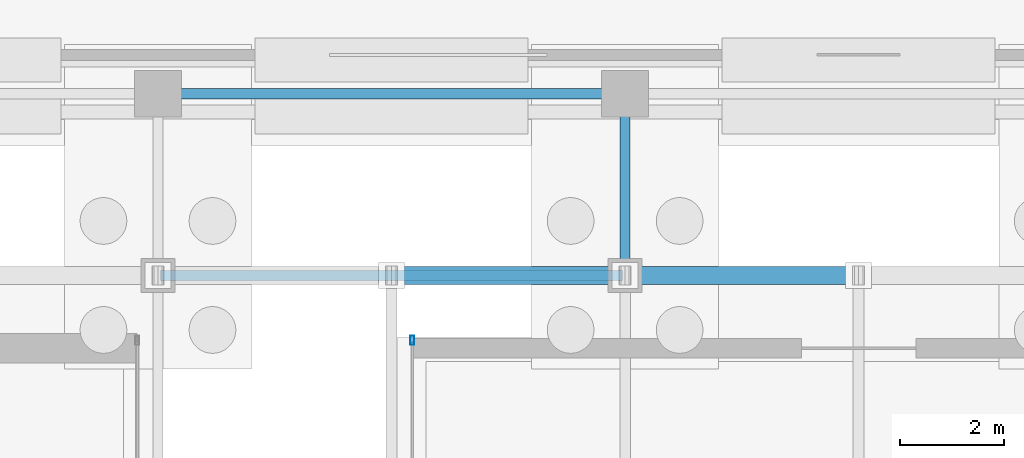
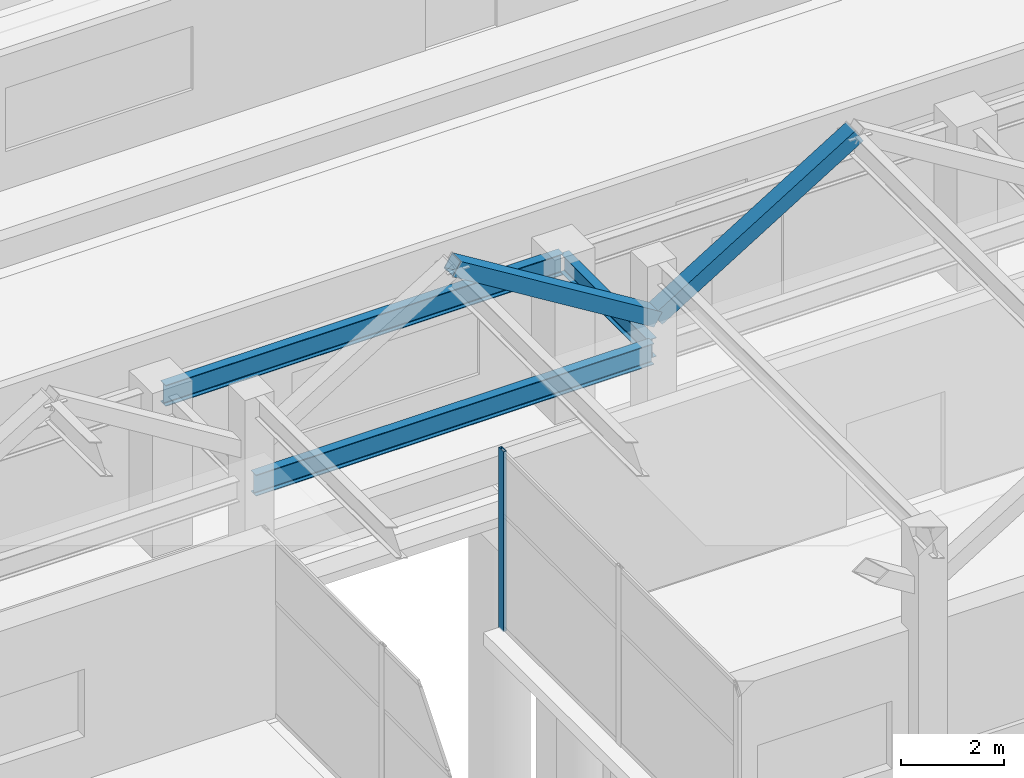
# One storey, part 57 of 160: 3 beams, 3 members, 1 element without a shape of its own.
"""IFC4 building model written with IfcOpenShell, lengths in metres."""

import ifcopenshell
import ifcopenshell.guid

model = None  # the IFC model being written
_history = None  # IfcOwnerHistory: only IFC2X3 demands one
_inside = {}  # id of a spatial element -> (the spatial element, [elements in it])
_under = {}  # id of a project, library or spatial element -> (it, [spatial elements below it])
_declared = {}  # id of a project -> (the project, [libraries it declares])
_typed = {}  # id of a type object -> (the type object, [elements of that type])
_made_of = {}  # id of a material, layer set ... -> (it, [elements and type objects made of it])


def new_model(schema):
    """Start an empty IFC model of exactly this schema.

    Asked for "IFC4X3", IfcOpenShell would pick the latest addendum, in which some entities
    have other attributes; the version numbers below select the first issue.
    IFC2X3 requires an IfcOwnerHistory on every rooted entity: one is made here for all.
    """
    global model, _history
    if schema == "IFC4X3":
        model = ifcopenshell.file(schema_version=(4, 3, 0, 0))
    else:
        model = ifcopenshell.file(schema=schema)
    _inside.clear()
    _under.clear()
    _declared.clear()
    _typed.clear()
    _made_of.clear()
    _history = None
    if model.schema == "IFC2X3":
        org = make("IfcOrganization", Name="unknown")
        user = make(
            "IfcPersonAndOrganization",
            ThePerson=make("IfcPerson", FamilyName="unknown"),
            TheOrganization=org,
        )
        app = make(
            "IfcApplication",
            ApplicationDeveloper=org,
            Version="unknown",
            ApplicationFullName="unknown",
            ApplicationIdentifier="unknown",
        )
        _history = make(
            "IfcOwnerHistory",
            OwningUser=user,
            OwningApplication=app,
            ChangeAction="ADDED",
            CreationDate=0,
        )
    return model


def make(cls, **values):
    """One entity of the class cls with the attributes given. An attribute that is None is left unset."""
    return model.create_entity(
        cls, **{name: value for name, value in values.items() if value is not None}
    )


def rooted(cls, **values):
    """An entity with a GlobalId (a new one), such as an element, a storey or a relation."""
    return make(cls, GlobalId=ifcopenshell.guid.new(), OwnerHistory=_history, **values)


def si_unit(unit_type, name, prefix=None):
    """IfcSIUnit, for example si_unit("LENGTHUNIT", "METRE", prefix="MILLI")."""
    return make("IfcSIUnit", UnitType=unit_type, Prefix=prefix, Name=name)


def assignment(units):
    """IfcUnitAssignment: the units of a project."""
    return None if units is None else make("IfcUnitAssignment", Units=units)


def point(xyz):
    """IfcCartesianPoint."""
    return None if xyz is None else make("IfcCartesianPoint", Coordinates=xyz)


def direction(xyz):
    """IfcDirection."""
    return None if xyz is None else make("IfcDirection", DirectionRatios=xyz)


def frame(location, z_axis=None, x_axis=None):
    """IfcAxis2Placement3D, a coordinate frame: its origin and axes. An axis left out is left unset."""
    return make(
        "IfcAxis2Placement3D",
        Location=point(location),
        Axis=direction(z_axis),
        RefDirection=direction(x_axis),
    )


def frame_2d(location, x_axis=None):
    """IfcAxis2Placement2D, a coordinate frame in the plane: its origin and x axis."""
    return make(
        "IfcAxis2Placement2D", Location=point(location), RefDirection=direction(x_axis)
    )


def origin():
    """The frame at (0, 0, 0) with its axes left unset."""
    return frame((0.0, 0.0, 0.0))


def origin_2d():
    """The frame at (0, 0) in the plane with its x axis left unset."""
    return frame_2d((0.0, 0.0))


def place(relative_to, where):
    """IfcLocalPlacement: puts the frame where relative to a parent placement (None: the world)."""
    return make(
        "IfcLocalPlacement", PlacementRelTo=relative_to, RelativePlacement=where
    )


def context(
    kind, dimensions, precision=None, world=None, true_north=None, identifier=None
):
    """IfcGeometricRepresentationContext, for example the 3D "Model" context."""
    return make(
        "IfcGeometricRepresentationContext",
        ContextIdentifier=identifier,
        ContextType=kind,
        CoordinateSpaceDimension=dimensions,
        Precision=precision,
        WorldCoordinateSystem=world,
        TrueNorth=true_north,
    )


def subcontext(parent, identifier, kind, view, scale=None):
    """IfcGeometricRepresentationSubContext, for example "Body" below "Model"."""
    return make(
        "IfcGeometricRepresentationSubContext",
        ContextIdentifier=identifier,
        ContextType=kind,
        ParentContext=parent,
        TargetScale=scale,
        TargetView=view,
    )


def project(units=None, contexts=None):
    """IfcProject with its units and contexts."""
    return rooted(
        "IfcProject",
        Name="project",
        RepresentationContexts=contexts,
        UnitsInContext=assignment(units),
    )


def spatial(cls, under=None, at=None, **own):
    """A site, building, storey or space (cls), placed at a placement, below another one or the project."""
    s = rooted(cls, ObjectPlacement=at, **own)
    if under is not None:
        _under.setdefault(under.id(), (under, []))[1].append(s)
    return s


def profile(cls, at=None, kind="AREA", **sizes):
    """A parametric profile (cls). Its sizes go by their IFC names, for example OverallWidth=200.0."""
    return make(cls, ProfileType=kind, Position=at, **sizes)


def hollow_rectangle(**sizes):
    """IfcRectangleHollowProfileDef."""
    return profile("IfcRectangleHollowProfileDef", **sizes)


def i_section(**sizes):
    """IfcIShapeProfileDef."""
    return profile("IfcIShapeProfileDef", **sizes)


def extrude(swept, where, along, depth):
    """IfcExtrudedAreaSolid: the profile swept, set in the frame where, extruded along a direction by depth."""
    return make(
        "IfcExtrudedAreaSolid",
        SweptArea=swept,
        Position=where,
        ExtrudedDirection=direction(along),
        Depth=depth,
    )


def shape(context_of_items, identifier, shape_type, items):
    """IfcShapeRepresentation: the items that make up one representation, for example the "Body"."""
    return make(
        "IfcShapeRepresentation",
        ContextOfItems=context_of_items,
        RepresentationIdentifier=identifier,
        RepresentationType=shape_type,
        Items=items,
    )


def material(Name=None, Category=None):
    """IfcMaterial."""
    return make("IfcMaterial", Name=Name, Category=Category)


def layer(
    of_material, thickness, ventilated=None, Name=None, Category=None, Priority=None
):
    """IfcMaterialLayer: one layer of a wall or slab, of a material (None: an air gap)."""
    return make(
        "IfcMaterialLayer",
        Material=of_material,
        LayerThickness=thickness,
        IsVentilated=ventilated,
        Name=Name,
        Category=Category,
        Priority=Priority,
    )


def layer_set(layers, Name=None):
    """IfcMaterialLayerSet."""
    return make("IfcMaterialLayerSet", MaterialLayers=layers, LayerSetName=Name)


def material_profile(
    of_material, cross_section, Name=None, Category=None, Priority=None
):
    """IfcMaterialProfile: a cross section and its material."""
    return make(
        "IfcMaterialProfile",
        Name=Name,
        Material=of_material,
        Profile=cross_section,
        Priority=Priority,
        Category=Category,
    )


def profile_set(profiles, Name=None, composite=None):
    """IfcMaterialProfileSet."""
    return make(
        "IfcMaterialProfileSet",
        Name=Name,
        MaterialProfiles=profiles,
        CompositeProfile=composite,
    )


def made_of(thing, what):
    """Note that an element or type object is made of a material, layer set ...; save() writes the relation."""
    if what is not None:
        _made_of.setdefault(what.id(), (what, []))[1].append(thing)
    return thing


def type_object(cls, material=None, **own):
    """A type object (cls), such as IfcWallType, which elements share."""
    return made_of(rooted(cls, **own), material)


def element(
    cls,
    number,
    at=None,
    inside=None,
    cuts=None,
    type_object=None,
    material=None,
    context=None,
    identifier="Body",
    shape_type=None,
    held_by="IfcProductDefinitionShape",
    body=None,
    shapes=None,
    **own,
):
    """One element of the class cls, such as IfcWall. Its Tag is "e" and its number.

    at: its placement. inside: the storey or other place that contains it. cuts: it is an
    opening in that element (IfcRelVoidsElement). A single representation is given by context,
    identifier, shape_type and body (its items); several are given by shapes. held_by: the class
    of the entity that holds the representations. save() writes the other relations.
    """
    e = rooted(cls, Tag="e%d" % number, ObjectPlacement=at, **own)
    if body is not None:
        shapes = [shape(context, identifier, shape_type, body)]
    if shapes is not None:
        e.Representation = make(held_by, Representations=shapes)
    if inside is not None:
        _inside.setdefault(inside.id(), (inside, []))[1].append(e)
    if cuts is not None:
        rooted(
            "IfcRelVoidsElement", RelatingBuildingElement=cuts, RelatedOpeningElement=e
        )
    if type_object is not None:
        _typed.setdefault(type_object.id(), (type_object, []))[1].append(e)
    return made_of(e, material)


def aggregate(whole, parts):
    """IfcRelAggregates: a whole, such as a stair, and the parts it consists of."""
    return rooted("IfcRelAggregates", RelatingObject=whole, RelatedObjects=parts)


def save(model, path):
    """Write the relations noted so far, then the file.

    IfcRelAggregates (storeys below a building ...), IfcRelContainedInSpatialStructure (elements
    in a storey), IfcRelDefinesByType, IfcRelAssociatesMaterial and IfcRelDeclares: one each for
    every whole, place, type object, material and project.
    """
    for whole, parts in _under.values():
        aggregate(whole, parts)
    for where, things in _inside.values():
        rooted(
            "IfcRelContainedInSpatialStructure",
            RelatedElements=things,
            RelatingStructure=where,
        )
    for kind, things in _typed.values():
        rooted("IfcRelDefinesByType", RelatedObjects=things, RelatingType=kind)
    for what, things in _made_of.values():
        rooted("IfcRelAssociatesMaterial", RelatedObjects=things, RelatingMaterial=what)
    for by, libraries in _declared.values():
        rooted("IfcRelDeclares", RelatingContext=by, RelatedDefinitions=libraries)
    model.write(path)


model = new_model("IFC4")

# Units and contexts
model_context = context("Model", 3, precision=1e-05, world=origin(), true_north=direction((0.0, 1.0)))
body_context = subcontext(model_context, "Body", "Model", "MODEL_VIEW")
ifc_project = project(units=[si_unit("LENGTHUNIT", "METRE"), si_unit("AREAUNIT", "SQUARE_METRE"), si_unit("VOLUMEUNIT", "CUBIC_METRE"), si_unit("PLANEANGLEUNIT", "RADIAN"), si_unit("MASSUNIT", "GRAM", prefix="KILO")], contexts=[model_context])

# Site, building, storey
site_placement = place(None, origin())
site = spatial("IfcSite", under=ifc_project, at=site_placement, CompositionType="ELEMENT")
building_placement = place(site_placement, origin())
building = spatial("IfcBuilding", under=site, at=building_placement, Name="Marlcrest Central Station", CompositionType="ELEMENT")
storey_placement = place(building_placement, origin())
storey = spatial("IfcBuildingStorey", under=building, at=storey_placement, Name="L00", CompositionType="ELEMENT", Elevation=0.0)

# Beams
ifc_material_1 = material(Name="Steel S355", Category="steel")
ifc_material_profile_1 = material_profile(ifc_material_1, i_section(OverallWidth=0.18994140625, OverallDepth=0.449951171875, WebThickness=0.009521484375, FlangeThickness=0.0146484375, FilletRadius=0.02099609375, at=origin_2d()), Name="IPE 450")
ifc_profile_set_1 = profile_set([ifc_material_profile_1], Name="Steel S355")
beam_type_1 = type_object("IfcBeamType", Name="BM-04", PredefinedType="BEAM", material=ifc_profile_set_1)
beam_placement = place(storey_placement, frame((27.0, 33.050048828125, 4.385009765625), z_axis=(0.0, 1.0, 0.0), x_axis=(-1.0, 0.0, 0.0)))
element("IfcBeam", 1, at=beam_placement, inside=storey, type_object=beam_type_1, Name="bm-BM-04-L00-01068", PredefinedType="BEAM", context=body_context, shape_type="SweptSolid", body=[
    extrude(i_section(OverallWidth=0.18994140625, OverallDepth=0.449951171875, WebThickness=0.009521484375, FlangeThickness=0.0146484375, FilletRadius=0.02099609375, at=origin_2d()), origin(), (0.0, 0.0, 1.0), 3.39990234375),
])
ifc_material_profile_2 = material_profile(ifc_material_1, i_section(OverallWidth=0.199951171875, OverallDepth=0.5, WebThickness=0.01025390625, FlangeThickness=0.01611328125, FilletRadius=0.02099609375, at=origin_2d()), Name="IPE 500")
ifc_profile_set_2 = profile_set([ifc_material_profile_2], Name="Steel S355")
beam_type_2 = type_object("IfcBeamType", Name="BM-05", PredefinedType="BEAM", material=ifc_profile_set_2)
for number, where, z_axis, x_axis, name in (
    (2, (18.050048828125, 33.0, 4.360107421875), (1.0, 0.0, 0.0), (0.0, 1.0, 0.0), "bm-BM-05-L00-01065"),
    (3, (18.050048828125, 36.5, 4.360107421875), (1.0, 0.0, 0.0), (0.0, 1.0, 0.0), "bm-BM-05-L00-01066"),
):
    element("IfcBeam", number, at=place(storey_placement, frame(where, z_axis=z_axis, x_axis=x_axis)), inside=storey, type_object=beam_type_2, Name=name, PredefinedType="BEAM", context=body_context, shape_type="SweptSolid", body=[
        extrude(i_section(OverallWidth=0.199951171875, OverallDepth=0.5, WebThickness=0.01025390625, FlangeThickness=0.01611328125, FilletRadius=0.02099609375, at=origin_2d()), origin(), (0.0, 0.0, 1.0), 8.89990234375),
    ])

# Curtain wall, member
ifc_material_2 = material(Name="Anodised aluminium and hurricane laminated glass", Category="aluminium")
ifc_layer = layer(ifc_material_2, 0.179931640625, Name="CW-S1")
ifc_layer_set = layer_set([ifc_layer], Name="Anodised aluminium and hurricane laminated glass")
curtain_wall_type = type_object("IfcCurtainWallType", Name="CW-S1", PredefinedType="USERDEFINED", material=ifc_layer_set)
curtain_wall_placement = place(storey_placement, origin())
curtain_wall = element("IfcCurtainWall", 4, at=curtain_wall_placement, inside=storey, type_object=curtain_wall_type, Name="cw-L00-0145", ObjectType="STICK_CURTAIN_WALL", PredefinedType="USERDEFINED")
ifc_material_3 = material(Name="Anodised aluminium 6063-T6", Category="aluminium")
ifc_material_profile_3 = material_profile(ifc_material_3, hollow_rectangle(XDim=0.070068359375, YDim=0.179931640625, WallThickness=0.0048828125, at=origin_2d()), Name="AA-RHS 180x70x5")
ifc_profile_set_3 = profile_set([ifc_material_profile_3], Name="Anodised aluminium 6063-T6")
member_type_1 = type_object("IfcMemberType", Name="ML-02", PredefinedType="MULLION", material=ifc_profile_set_3)
member_placement = place(storey_placement, frame((22.89990234375, 31.75, -0.030029296875), z_axis=(0.0, 0.0, 1.0), x_axis=(1.0, 0.0, 0.0)))
member = element("IfcMember", 5, at=member_placement, type_object=member_type_1, Name="cw-L00-0145-ml-2", PredefinedType="MULLION", context=body_context, shape_type="SweptSolid", body=[
    extrude(hollow_rectangle(XDim=0.070068359375, YDim=0.179931640625, WallThickness=0.0048828125, at=origin_2d()), origin(), (0.0, 0.0, 1.0), 4.260009765625),
])
aggregate(curtain_wall, [member])

# Members
ifc_material_profile_4 = material_profile(ifc_material_1, hollow_rectangle(XDim=0.35009765625, YDim=0.35009765625, WallThickness=0.01611328125, at=origin_2d()), Name="SHS 350x350x16")
ifc_profile_set_4 = profile_set([ifc_material_profile_4], Name="Steel S355")
member_type_2 = type_object("IfcMemberType", Name="ST-02", PredefinedType="STRUT", material=ifc_profile_set_4)
for number, where, z_axis, x_axis, name in (
    (6, (27.0, 33.0, 5.199951171875), (-0.851591684043, 0.0, 0.524205688322), (0.0, -1.0, 0.0), "mem-ST-02-L00-00036"),
    (7, (27.0, 33.0, 5.199951171875), (0.851591684043, 0.0, 0.524205688322), (0.0, 1.0, 0.0), "mem-ST-02-L00-00041"),
):
    element("IfcMember", number, at=place(storey_placement, frame(where, z_axis=z_axis, x_axis=x_axis)), inside=storey, type_object=member_type_2, Name=name, PredefinedType="STRUT", context=body_context, shape_type="SweptSolid", body=[
        extrude(hollow_rectangle(XDim=0.35009765625, YDim=0.35009765625, WallThickness=0.01611328125, at=origin_2d()), origin(), (0.0, 0.0, 1.0), 5.2841796875),
    ])

save(model, "model.ifc")
